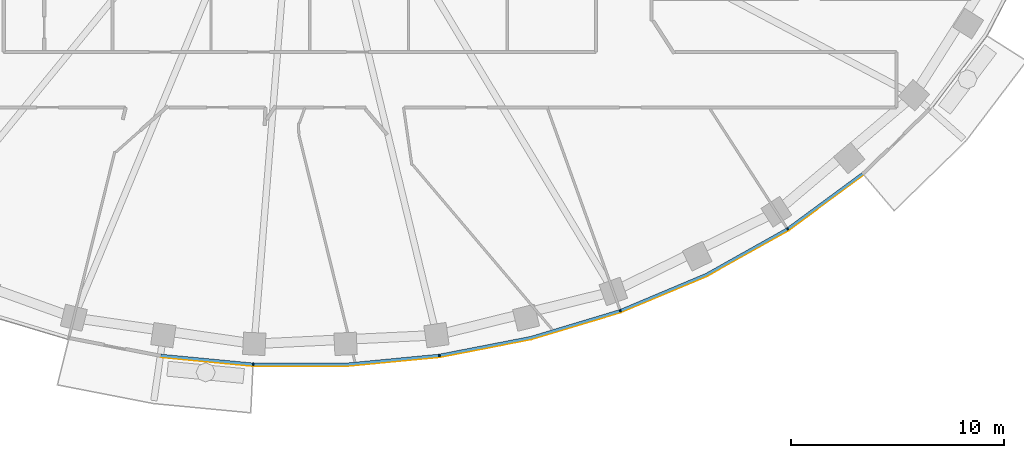
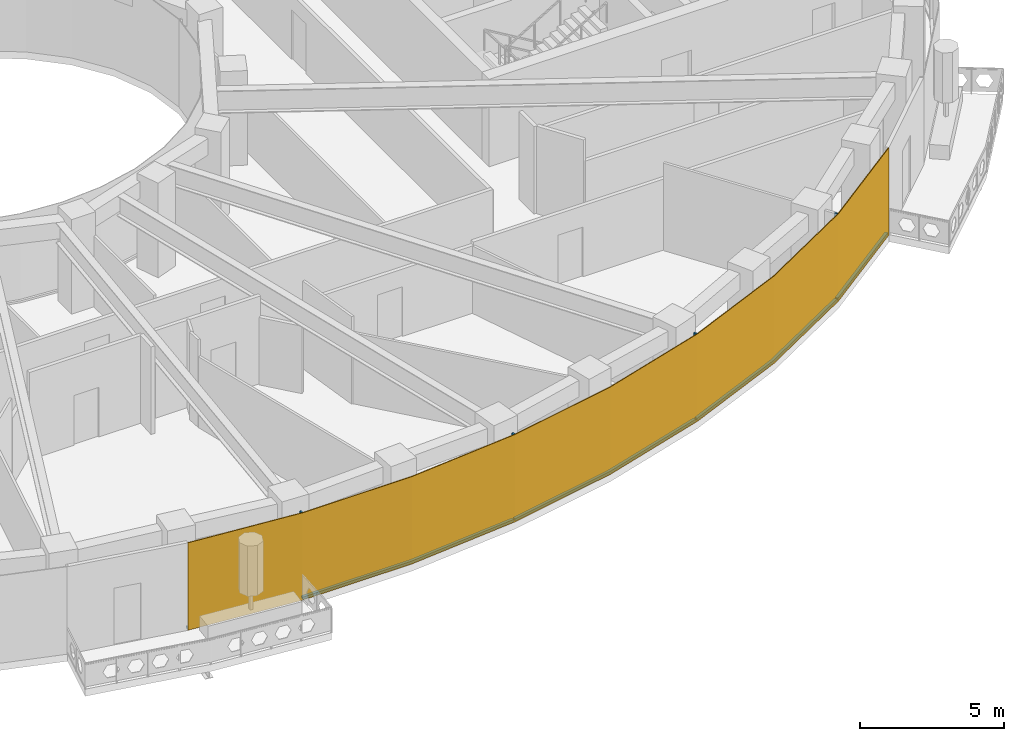
# One storey, part 9 of 16: 9 members, 1 curtain wall.
"""IFC4 building model written with IfcOpenShell, lengths in metres."""

from ifc_helpers import new_model, si_unit, direction, frame, origin, origin_2d, place, context, subcontext, project, spatial, polyline, rectangle, outline, extrude, material, layer, layer_set, material_profile, profile_set, type_object, element, aggregate, save


model = new_model("IFC4")

# Units and contexts
model_context = context("Model", 3, precision=1e-05, world=origin(), true_north=direction((0.0, 1.0)))
body_context = subcontext(model_context, "Body", "Model", "MODEL_VIEW")
ifc_project = project(units=[si_unit("LENGTHUNIT", "METRE"), si_unit("AREAUNIT", "SQUARE_METRE"), si_unit("VOLUMEUNIT", "CUBIC_METRE"), si_unit("PLANEANGLEUNIT", "RADIAN"), si_unit("MASSUNIT", "GRAM", prefix="KILO")], contexts=[model_context])

# Member
ifc_material_1 = material(Name="Aluminium 6063-T6 black anodised", Category="aluminium")
ifc_material_profile = material_profile(ifc_material_1, rectangle(XDim=0.1201171875, YDim=0.06005859375, at=origin_2d()), Name="120x60")
ifc_profile_set = profile_set([ifc_material_profile], Name="Aluminium 6063-T6 black anodised")
member_type_1 = type_object("IfcMemberType", Name="ENV-MULLION-A-120", PredefinedType="MULLION", material=ifc_profile_set)
site_placement = place(None, origin())
building_placement = place(site_placement, origin())
storey_placement = place(building_placement, frame((0.0, 0.0, 273.5)))
member_1_placement = place(storey_placement, frame((-2.188720703125, -27.856201171875, 0.0), z_axis=(0.0, 0.0, 1.0), x_axis=(0.047557873581, 0.998868484166, 0.0)))
member_1 = element("IfcMember", 1, at=member_1_placement, type_object=member_type_1, Name="Mullion A radial 35", PredefinedType="MULLION", context=body_context, shape_type="SweptSolid", body=[
    extrude(rectangle(XDim=0.1201171875, YDim=0.06005859375, at=origin_2d()), origin(), (0.0, 0.0, 1.0), 3.699951171875),
])

member_2_placement = place(storey_placement, frame((6.54638671875, -27.440185546875, 0.0), z_axis=(0.0, 0.0, 1.0), x_axis=(-0.143082012705, 0.989710835366, 0.0)))
member_2 = element("IfcMember", 2, at=member_2_placement, type_object=member_type_1, Name="Mullion A radial 37", PredefinedType="MULLION", context=body_context, shape_type="SweptSolid", body=[
    extrude(rectangle(XDim=0.1201171875, YDim=0.06005859375, at=origin_2d()), origin(), (0.0, 0.0, 1.0), 3.699951171875),
])

member_3_placement = place(storey_placement, frame((15.0341796875, -25.34375, 0.0), z_axis=(0.0, 0.0, 1.0), x_axis=(-0.338379256581, 0.941009818608, 0.0)))
member_3 = element("IfcMember", 3, at=member_3_placement, type_object=member_type_1, Name="Mullion A radial 39", PredefinedType="MULLION", context=body_context, shape_type="SweptSolid", body=[
    extrude(rectangle(XDim=0.1201171875, YDim=0.06005859375, at=origin_2d()), origin(), (0.0, 0.0, 1.0), 3.699951171875),
])

member_4_placement = place(storey_placement, frame((22.882568359375, -21.506591796875, 0.0), z_axis=(0.0, 0.0, 1.0), x_axis=(-0.542279153225, 0.840198381323, 0.0)))
member_4 = element("IfcMember", 4, at=member_4_placement, type_object=member_type_1, Name="Mullion A radial 41", PredefinedType="MULLION", context=body_context, shape_type="SweptSolid", body=[
    extrude(rectangle(XDim=0.1201171875, YDim=0.06005859375, at=origin_2d()), origin(), (0.0, 0.0, 1.0), 3.699951171875),
])

ifc_material_2 = material(Name="Aluminium 6063-T6 black anodised", Category="aluminium")
member_type_2 = type_object("IfcMemberType", Name="ENV-TRANSOM-A", PredefinedType="USERDEFINED", material=ifc_material_2)
member_5_placement = place(storey_placement, origin())
member_5 = element("IfcMember", 5, at=member_5_placement, type_object=member_type_2, Name="Transom A radial 34-35", ObjectType="TRANSOM", PredefinedType="USERDEFINED", context=body_context, shape_type="SweptSolid", body=[
    extrude(outline(polyline([(-6.53515625, -27.50146484375), (-2.219482421875, -27.913330078125), (-2.2138671875, -27.793212890625), (-6.51806640625, -27.382568359375), (-6.53515625, -27.50146484375)])), origin(), (0.0, 0.0, 1.0), 0.10009765625),
])

member_6_placement = place(storey_placement, origin())
member_6 = element("IfcMember", 6, at=member_6_placement, type_object=member_type_2, Name="Transom A radial 35-37", ObjectType="TRANSOM", PredefinedType="USERDEFINED", context=body_context, shape_type="SweptSolid", body=[
    extrude(outline(polyline([(-2.163818359375, -27.916015625), (2.191650390625, -27.916015625), (6.527099609375, -27.502197265625), (6.510009765625, -27.38330078125), (2.185791015625, -27.7958984375), (-2.157958984375, -27.7958984375), (-2.163818359375, -27.916015625)])), origin(), (0.0, 0.0, 1.0), 0.10009765625),
])

member_7_placement = place(storey_placement, origin())
member_7 = element("IfcMember", 7, at=member_7_placement, type_object=member_type_2, Name="Transom A radial 37-39", ObjectType="TRANSOM", PredefinedType="USERDEFINED", context=body_context, shape_type="SweptSolid", body=[
    extrude(outline(polyline([(6.58251953125, -27.494140625), (10.857666015625, -26.6630859375), (15.027587890625, -25.408203125), (14.987060546875, -25.295166015625), (10.828857421875, -26.54638671875), (6.5654296875, -27.375244140625), (6.58251953125, -27.494140625)])), origin(), (0.0, 0.0, 1.0), 0.10009765625),
])

member_8_placement = place(storey_placement, origin())
member_8 = element("IfcMember", 8, at=member_8_placement, type_object=member_type_2, Name="Transom A radial 39-41", ObjectType="TRANSOM", PredefinedType="USERDEFINED", context=body_context, shape_type="SweptSolid", body=[
    extrude(outline(polyline([(15.080322265625, -25.389404296875), (19.093994140625, -23.701416015625), (22.890625, -21.570556640625), (22.825439453125, -21.469482421875), (19.041259765625, -23.593505859375), (15.03955078125, -25.276123046875), (15.080322265625, -25.389404296875)])), origin(), (0.0, 0.0, 1.0), 0.10009765625),
])

member_9_placement = place(storey_placement, origin())
member_9 = element("IfcMember", 9, at=member_9_placement, type_object=member_type_2, Name="Transom A radial 41-42", ObjectType="TRANSOM", PredefinedType="USERDEFINED", context=body_context, shape_type="SweptSolid", body=[
    extrude(outline(polyline([(22.937744140625, -21.540283203125), (26.42626953125, -18.970703125), (26.348388671875, -18.87890625), (22.87255859375, -21.439208984375), (22.937744140625, -21.540283203125)])), origin(), (0.0, 0.0, 1.0), 0.10009765625),
])

# Site, building, storey
site = spatial("IfcSite", under=ifc_project, at=site_placement, CompositionType="ELEMENT")
building = spatial("IfcBuilding", under=site, at=building_placement, Name="Noorbagh Ring Tower", CompositionType="ELEMENT")
storey = spatial("IfcBuildingStorey", under=building, at=storey_placement, Name="L58", CompositionType="ELEMENT", Elevation=273.5)

# Curtain wall
ifc_material_3 = material(Name="Glass dark tinted laminated", Category="glass")
ifc_layer = layer(ifc_material_3, 0.031982421875)
ifc_layer_set = layer_set([ifc_layer], Name="Glass dark tinted laminated")
curtain_wall_type = type_object("IfcCurtainWallType", Name="ENV-CW-A", PredefinedType="NOTDEFINED", material=ifc_layer_set)
curtain_wall_placement = place(storey_placement, origin())
curtain_wall = element("IfcCurtainWall", 10, at=curtain_wall_placement, inside=storey, type_object=curtain_wall_type, Name="Curtain wall A R34", PredefinedType="NOTDEFINED", context=body_context, shape_type="SweptSolid", body=[
    extrude(outline(polyline([(-6.539794921875, -27.533203125), (-2.193115234375, -27.947998046875), (2.193115234375, -27.947998046875), (6.559814453125, -27.53125), (10.865234375, -26.6943359375), (15.065185546875, -25.430419921875), (19.108154296875, -23.730224609375), (22.9326171875, -21.583740234375), (26.447021484375, -18.9951171875), (26.42626953125, -18.970703125), (22.9150390625, -21.556884765625), (19.093994140625, -23.701416015625), (15.054443359375, -25.400146484375), (10.857666015625, -26.6630859375), (6.55517578125, -27.49951171875), (2.191650390625, -27.916015625), (-2.191650390625, -27.916015625), (-6.53515625, -27.50146484375), (-6.539794921875, -27.533203125)])), origin(), (0.0, 0.0, 1.0), 3.699951171875),
])

aggregate(curtain_wall, [member_1, member_2, member_3, member_4, member_5, member_6, member_7, member_8, member_9])

save(model, "model.ifc")
